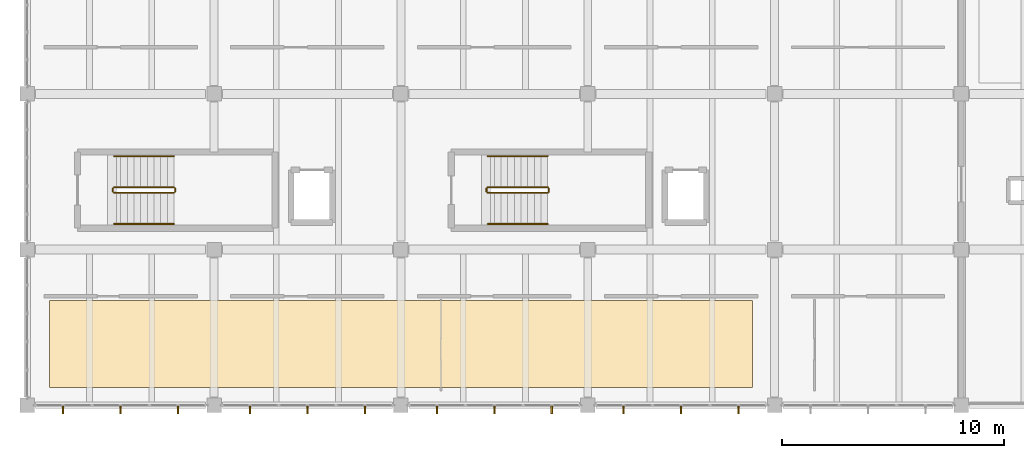
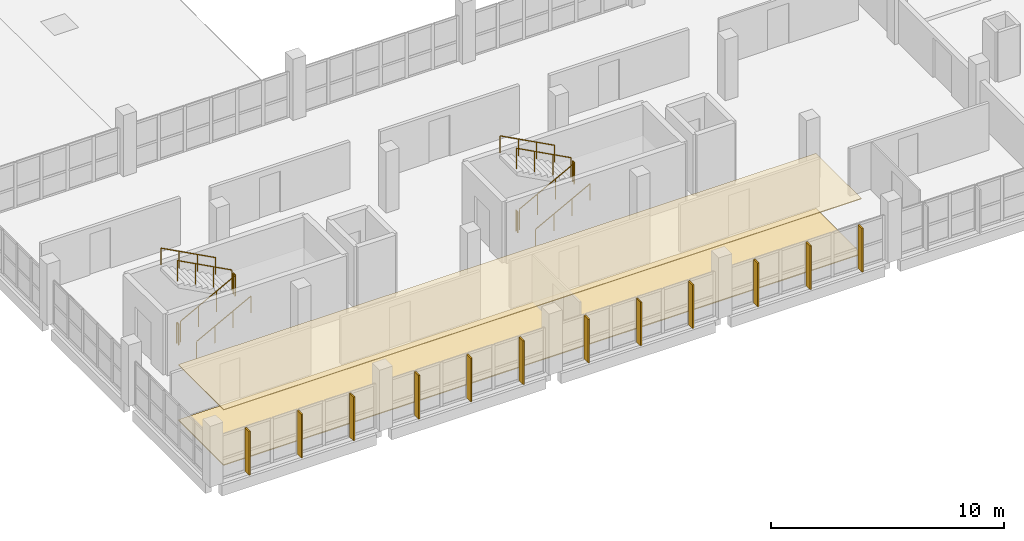
# One storey, part 30 of 33: 12 railings, 12 shading devices, 2 coverings.
"""IFC4 building model written with IfcOpenShell, lengths in metres."""

from ifc_helpers import new_model, si_unit, direction, frame, origin, origin_2d, place, context, subcontext, project, spatial, polyline, rectangle, circle, outline, extrude, material, layer, layer_set, type_object, element, save


model = new_model("IFC4")

# Units and contexts
model_context = context("Model", 3, precision=1e-05, world=origin(), true_north=direction((0.0, 1.0)))
body_context = subcontext(model_context, "Body", "Model", "MODEL_VIEW")
ifc_project = project(units=[si_unit("LENGTHUNIT", "METRE"), si_unit("AREAUNIT", "SQUARE_METRE"), si_unit("VOLUMEUNIT", "CUBIC_METRE"), si_unit("PLANEANGLEUNIT", "RADIAN"), si_unit("MASSUNIT", "GRAM", prefix="KILO"), si_unit("THERMODYNAMICTEMPERATUREUNIT", "KELVIN"), si_unit("POWERUNIT", "WATT")], contexts=[model_context])

# Site, building, storey
site_placement = place(None, origin())
site = spatial("IfcSite", under=ifc_project, at=site_placement, CompositionType="ELEMENT")
building_placement = place(site_placement, origin())
building = spatial("IfcBuilding", under=site, at=building_placement, Name="Mavoryth Pier Ferry Terminal", CompositionType="ELEMENT")
storey_placement = place(building_placement, frame((0.0, 0.0, 13.1201171875)))
storey = spatial("IfcBuildingStorey", under=building, at=storey_placement, Name="L03", CompositionType="ELEMENT", Elevation=13.1201171875)

# Covering
ifc_material_1 = material(Name="FSC Oak Acoustic Linear Slat Ceiling")
ifc_layer_1 = layer(ifc_material_1, 0.0380859375, Name="FSC Oak Acoustic Linear Slat Ceiling")
ifc_layer_set_1 = layer_set([ifc_layer_1], Name="FSC Oak Acoustic Linear Slat Ceiling - Ceil-TimberSlat-38")
covering_type_1 = type_object("IfcCoveringType", Name="Ceil-TimberSlat-38", PredefinedType="CEILING", material=ifc_layer_set_1)
covering_1_placement = place(storey_placement, frame((0.0, 0.0, 2.90185546875)))
element("IfcCovering", 1, at=covering_1_placement, inside=storey, type_object=covering_type_1, Name="Covering COV-L03-014", PredefinedType="CEILING", context=body_context, shape_type="SweptSolid", body=[
    extrude(outline(polyline([(43.0, 0.800048828125), (74.60009765625, 0.800048828125), (74.60009765625, 4.699951171875), (43.0, 4.699951171875), (43.0, 0.800048828125)])), origin(), (0.0, 0.0, 1.0), 0.0380859375),
])

# Shading devices
ifc_material_2 = material(Name="Anodised Aluminium Solar-Shading Fin", Category="aluminium")
shading_device_type = type_object("IfcShadingDeviceType", Name="Fin-BriseSoleil-350x70x2500", PredefinedType="SHUTTER", material=ifc_material_2)
for number, where, z_axis, x_axis, name in (
    (2, (43.61669921875, -0.198974609375, 0.0), (0.0, 0.0, 1.0), (1.0, 0.0, 0.0), "Solar Shading Fin 118"),
    (3, (46.199951171875, -0.198974609375, 0.0), (0.0, 0.0, 1.0), (1.0, 0.0, 0.0), "Solar Shading Fin 119"),
    (4, (48.783203125, -0.198974609375, 0.0), (0.0, 0.0, 1.0), (1.0, 0.0, 0.0), "Solar Shading Fin 120"),
    (5, (52.0166015625, -0.198974609375, 0.0), (0.0, 0.0, 1.0), (1.0, 0.0, 0.0), "Solar Shading Fin 121"),
    (6, (54.60009765625, -0.198974609375, 0.0), (0.0, 0.0, 1.0), (1.0, 0.0, 0.0), "Solar Shading Fin 122"),
    (7, (57.183349609375, -0.198974609375, 0.0), (0.0, 0.0, 1.0), (1.0, 0.0, 0.0), "Solar Shading Fin 123"),
    (8, (60.416748046875, -0.198974609375, 0.0), (0.0, 0.0, 1.0), (1.0, 0.0, 0.0), "Solar Shading Fin 124"),
    (9, (63.0, -0.198974609375, 0.0), (0.0, 0.0, 1.0), (1.0, 0.0, 0.0), "Solar Shading Fin 125"),
    (10, (65.583251953125, -0.198974609375, 0.0), (0.0, 0.0, 1.0), (1.0, 0.0, 0.0), "Solar Shading Fin 126"),
    (11, (68.816650390625, -0.198974609375, 0.0), (0.0, 0.0, 1.0), (1.0, 0.0, 0.0), "Solar Shading Fin 127"),
    (12, (71.39990234375, -0.198974609375, 0.0), (0.0, 0.0, 1.0), (1.0, 0.0, 0.0), "Solar Shading Fin 128"),
    (13, (73.9833984375, -0.198974609375, 0.0), (0.0, 0.0, 1.0), (1.0, 0.0, 0.0), "Solar Shading Fin 129"),
):
    element("IfcShadingDevice", number, at=place(storey_placement, frame(where, z_axis=z_axis, x_axis=x_axis)), inside=storey, type_object=shading_device_type, Name=name, PredefinedType="SHUTTER", context=body_context, shape_type="SweptSolid", body=[
        extrude(rectangle(XDim=0.070068359375, YDim=0.35009765625, at=origin_2d()), origin(), (0.0, 0.0, 1.0), 2.284912109375),
    ])

# Covering
ifc_material_3 = material(Name="Slip-Resistant Honed Attica Limestone", Category="masonry")
ifc_layer_2 = layer(ifc_material_3, 0.048095703125, Name="Slip-Resistant Honed Attica Limestone", Category="masonry")
ifc_layer_set_2 = layer_set([ifc_layer_2], Name="Slip-Resistant Honed Attica Limestone - Floor-HonedLimestone-48")
covering_type_2 = type_object("IfcCoveringType", Name="Floor-HonedLimestone-48", PredefinedType="FLOORING", material=ifc_layer_set_2)
covering_2_placement = place(storey_placement, origin())
element("IfcCovering", 14, at=covering_2_placement, inside=storey, type_object=covering_type_2, Name="Covering COV-L03-013", PredefinedType="FLOORING", context=body_context, shape_type="SweptSolid", body=[
    extrude(outline(polyline([(43.0, 0.800048828125), (74.60009765625, 0.800048828125), (74.60009765625, 4.699951171875), (43.0, 4.699951171875), (43.0, 0.800048828125)])), origin(), (0.0, 0.0, 1.0), 0.0478515625),
])

# Railings
ifc_material_4 = material(Name="Painted Galvanised Steel Balustrade", Category="steel")
railing_type_1 = type_object("IfcRailingType", Name="Guard-Stair-Steel1100", PredefinedType="GUARDRAIL", material=ifc_material_4)
railing_1_placement = place(storey_placement, frame((45.89990234375, 9.550048828125, 0.159912109375)))
element("IfcRailing", 15, at=railing_1_placement, inside=storey, type_object=railing_type_1, Name="L03 ST11 stair guard 1", PredefinedType="GUARDRAIL", context=body_context, shape_type="SweptSolid", body=[
    extrude(circle(Radius=0.02392578125, at=origin_2d()), frame((0.0, 0.0, 1.076171875), z_axis=(0.88237502484, 0.0, 0.470546826085), x_axis=(0.0, 1.0, 0.0)), (0.0, 0.0, 1.0), 3.06005859375),
    extrude(circle(Radius=0.02099609375, at=origin_2d()), origin(), (0.0, 0.0, 1.0), 1.052001953125),
    extrude(circle(Radius=0.02099609375, at=origin_2d()), frame((0.900146484375, 0.0, 0.47998046875)), (0.0, 0.0, 1.0), 1.052001953125),
    extrude(circle(Radius=0.02099609375, at=origin_2d()), frame((1.800048828125, 0.0, 0.9599609375)), (0.0, 0.0, 1.0), 1.052001953125),
    extrude(circle(Radius=0.02099609375, at=origin_2d()), frame((2.7001953125, 0.0, 1.43994140625)), (0.0, 0.0, 1.0), 1.052001953125),
])
railing_2_placement = place(storey_placement, frame((48.64990234375, 9.60009765625, 1.599853515625)))
element("IfcRailing", 16, at=railing_2_placement, inside=storey, type_object=railing_type_1, Name="L03 ST11 stair guard 2", PredefinedType="GUARDRAIL", context=body_context, shape_type="SweptSolid", body=[
    extrude(circle(Radius=0.02392578125, at=origin_2d()), frame((0.0, 0.0, 1.076171875), z_axis=(0.0, 1.0, 0.0), x_axis=(-1.0, 0.0, 0.0)), (0.0, 0.0, 1.0), 0.14990234375),
    extrude(circle(Radius=0.02099609375, at=origin_2d()), origin(), (0.0, 0.0, 1.0), 1.052001953125),
    extrude(circle(Radius=0.02099609375, at=origin_2d()), frame((0.0, 0.14990234375, 0.0)), (0.0, 0.0, 1.0), 1.052001953125),
])
railing_3_placement = place(storey_placement, frame((48.60009765625, 9.800048828125, 1.759765625)))
element("IfcRailing", 17, at=railing_3_placement, inside=storey, type_object=railing_type_1, Name="L03 ST11 stair guard 3", PredefinedType="GUARDRAIL", context=body_context, shape_type="SweptSolid", body=[
    extrude(circle(Radius=0.02392578125, at=origin_2d()), frame((0.0, 0.0, 1.076171875), z_axis=(-0.882341899031, 0.0, 0.470608938733), x_axis=(0.0, -1.0, 0.0)), (0.0, 0.0, 1.0), 3.060302734375),
    extrude(circle(Radius=0.02099609375, at=origin_2d()), origin(), (0.0, 0.0, 1.0), 1.052001953125),
    extrude(circle(Radius=0.02099609375, at=origin_2d()), frame((-0.900146484375, 0.0, 0.47998046875)), (0.0, 0.0, 1.0), 1.052001953125),
    extrude(circle(Radius=0.02099609375, at=origin_2d()), frame((-1.800048828125, 0.0, 0.960205078125)), (0.0, 0.0, 1.0), 1.052001953125),
    extrude(circle(Radius=0.02099609375, at=origin_2d()), frame((-2.7001953125, 0.0, 1.440185546875)), (0.0, 0.0, 1.0), 1.052001953125),
])
railing_4_placement = place(storey_placement, frame((45.85009765625, 9.60009765625, 0.0)))
element("IfcRailing", 18, at=railing_4_placement, inside=storey, type_object=railing_type_1, Name="L03 ST11 stair guard 4", PredefinedType="GUARDRAIL", context=body_context, shape_type="SweptSolid", body=[
    extrude(circle(Radius=0.02392578125, at=origin_2d()), frame((0.0, 0.0, 1.076171875), z_axis=(0.0, 1.0, 0.0), x_axis=(-1.0, 0.0, 0.0)), (0.0, 0.0, 1.0), 0.14990234375),
    extrude(circle(Radius=0.02099609375, at=origin_2d()), origin(), (0.0, 0.0, 1.0), 1.052001953125),
    extrude(circle(Radius=0.02099609375, at=origin_2d()), frame((0.0, 0.14990234375, 0.0)), (0.0, 0.0, 1.0), 1.052001953125),
])
railing_5_placement = place(storey_placement, frame((62.699951171875, 9.550048828125, 0.159912109375)))
element("IfcRailing", 19, at=railing_5_placement, inside=storey, type_object=railing_type_1, Name="L03 ST12 stair guard 1", PredefinedType="GUARDRAIL", context=body_context, shape_type="SweptSolid", body=[
    extrude(circle(Radius=0.02392578125, at=origin_2d()), frame((0.0, 0.0, 1.076171875), z_axis=(0.882357358376, 0.0, 0.470579952952), x_axis=(0.0, 1.0, 0.0)), (0.0, 0.0, 1.0), 3.059814453125),
    extrude(circle(Radius=0.02099609375, at=origin_2d()), origin(), (0.0, 0.0, 1.0), 1.052001953125),
    extrude(circle(Radius=0.02099609375, at=origin_2d()), frame((0.89990234375, 0.0, 0.47998046875)), (0.0, 0.0, 1.0), 1.052001953125),
    extrude(circle(Radius=0.02099609375, at=origin_2d()), frame((1.800048828125, 0.0, 0.9599609375)), (0.0, 0.0, 1.0), 1.052001953125),
    extrude(circle(Radius=0.02099609375, at=origin_2d()), frame((2.699951171875, 0.0, 1.43994140625)), (0.0, 0.0, 1.0), 1.052001953125),
])
railing_6_placement = place(storey_placement, frame((65.449951171875, 9.60009765625, 1.599853515625)))
element("IfcRailing", 20, at=railing_6_placement, inside=storey, type_object=railing_type_1, Name="L03 ST12 stair guard 2", PredefinedType="GUARDRAIL", context=body_context, shape_type="SweptSolid", body=[
    extrude(circle(Radius=0.02392578125, at=origin_2d()), frame((0.0, 0.0, 1.076171875), z_axis=(0.0, 1.0, 0.0), x_axis=(-1.0, 0.0, 0.0)), (0.0, 0.0, 1.0), 0.14990234375),
    extrude(circle(Radius=0.02099609375, at=origin_2d()), origin(), (0.0, 0.0, 1.0), 1.052001953125),
    extrude(circle(Radius=0.02099609375, at=origin_2d()), frame((0.0, 0.14990234375, 0.0)), (0.0, 0.0, 1.0), 1.052001953125),
])
railing_7_placement = place(storey_placement, frame((65.39990234375, 9.800048828125, 1.759765625)))
element("IfcRailing", 21, at=railing_7_placement, inside=storey, type_object=railing_type_1, Name="L03 ST12 stair guard 3", PredefinedType="GUARDRAIL", context=body_context, shape_type="SweptSolid", body=[
    extrude(circle(Radius=0.02392578125, at=origin_2d()), frame((0.0, 0.0, 1.076171875), z_axis=(-0.882324228566, 0.0, 0.470642067484), x_axis=(0.0, -1.0, 0.0)), (0.0, 0.0, 1.0), 3.06005859375),
    extrude(circle(Radius=0.02099609375, at=origin_2d()), origin(), (0.0, 0.0, 1.0), 1.052001953125),
    extrude(circle(Radius=0.02099609375, at=origin_2d()), frame((-0.89990234375, 0.0, 0.47998046875)), (0.0, 0.0, 1.0), 1.052001953125),
    extrude(circle(Radius=0.02099609375, at=origin_2d()), frame((-1.800048828125, 0.0, 0.960205078125)), (0.0, 0.0, 1.0), 1.052001953125),
    extrude(circle(Radius=0.02099609375, at=origin_2d()), frame((-2.699951171875, 0.0, 1.440185546875)), (0.0, 0.0, 1.0), 1.052001953125),
])
railing_8_placement = place(storey_placement, frame((62.64990234375, 9.60009765625, 0.0)))
element("IfcRailing", 22, at=railing_8_placement, inside=storey, type_object=railing_type_1, Name="L03 ST12 stair guard 4", PredefinedType="GUARDRAIL", context=body_context, shape_type="SweptSolid", body=[
    extrude(circle(Radius=0.02392578125, at=origin_2d()), frame((0.0, 0.0, 1.076171875), z_axis=(0.0, 1.0, 0.0), x_axis=(-1.0, 0.0, 0.0)), (0.0, 0.0, 1.0), 0.14990234375),
    extrude(circle(Radius=0.02099609375, at=origin_2d()), origin(), (0.0, 0.0, 1.0), 1.052001953125),
    extrude(circle(Radius=0.02099609375, at=origin_2d()), frame((0.0, 0.14990234375, 0.0)), (0.0, 0.0, 1.0), 1.052001953125),
])
ifc_material_5 = material(Name="Brushed Stainless Steel Tubular Handrail", Category="steel")
railing_type_2 = type_object("IfcRailingType", Name="Handrail-Stair-SS900", PredefinedType="HANDRAIL", material=ifc_material_5)
railing_9_placement = place(storey_placement, frame((45.89990234375, 8.14990234375, 0.159912109375)))
element("IfcRailing", 23, at=railing_9_placement, inside=storey, type_object=railing_type_2, Name="L03 ST11 stair handrail 1", PredefinedType="HANDRAIL", context=body_context, shape_type="SweptSolid", body=[
    extrude(circle(Radius=0.02392578125, at=origin_2d()), frame((0.0, 0.0, 0.8759765625), z_axis=(0.88237502484, 0.0, 0.470546826085), x_axis=(0.0, 1.0, 0.0)), (0.0, 0.0, 1.0), 3.06005859375),
    extrude(circle(Radius=0.02099609375, at=origin_2d()), origin(), (0.0, 0.0, 1.0), 0.851806640625),
    extrude(circle(Radius=0.02099609375, at=origin_2d()), frame((0.900146484375, 0.0, 0.47998046875)), (0.0, 0.0, 1.0), 0.851806640625),
    extrude(circle(Radius=0.02099609375, at=origin_2d()), frame((1.800048828125, 0.0, 0.9599609375)), (0.0, 0.0, 1.0), 0.851806640625),
    extrude(circle(Radius=0.02099609375, at=origin_2d()), frame((2.7001953125, 0.0, 1.43994140625)), (0.0, 0.0, 1.0), 0.851806640625),
])
railing_10_placement = place(storey_placement, frame((48.60009765625, 11.199951171875, 1.759765625)))
element("IfcRailing", 24, at=railing_10_placement, inside=storey, type_object=railing_type_2, Name="L03 ST11 stair handrail 2", PredefinedType="HANDRAIL", context=body_context, shape_type="SweptSolid", body=[
    extrude(circle(Radius=0.02392578125, at=origin_2d()), frame((0.0, 0.0, 0.8759765625), z_axis=(-0.882341899031, 0.0, 0.470608938733), x_axis=(0.0, -1.0, 0.0)), (0.0, 0.0, 1.0), 3.060302734375),
    extrude(circle(Radius=0.02099609375, at=origin_2d()), origin(), (0.0, 0.0, 1.0), 0.851806640625),
    extrude(circle(Radius=0.02099609375, at=origin_2d()), frame((-0.900146484375, 0.0, 0.47998046875)), (0.0, 0.0, 1.0), 0.851806640625),
    extrude(circle(Radius=0.02099609375, at=origin_2d()), frame((-1.800048828125, 0.0, 0.960205078125)), (0.0, 0.0, 1.0), 0.851806640625),
    extrude(circle(Radius=0.02099609375, at=origin_2d()), frame((-2.7001953125, 0.0, 1.440185546875)), (0.0, 0.0, 1.0), 0.851806640625),
])
railing_11_placement = place(storey_placement, frame((62.699951171875, 8.14990234375, 0.159912109375)))
element("IfcRailing", 25, at=railing_11_placement, inside=storey, type_object=railing_type_2, Name="L03 ST12 stair handrail 1", PredefinedType="HANDRAIL", context=body_context, shape_type="SweptSolid", body=[
    extrude(circle(Radius=0.02392578125, at=origin_2d()), frame((0.0, 0.0, 0.8759765625), z_axis=(0.882357358376, 0.0, 0.470579952952), x_axis=(0.0, 1.0, 0.0)), (0.0, 0.0, 1.0), 3.059814453125),
    extrude(circle(Radius=0.02099609375, at=origin_2d()), origin(), (0.0, 0.0, 1.0), 0.851806640625),
    extrude(circle(Radius=0.02099609375, at=origin_2d()), frame((0.89990234375, 0.0, 0.47998046875)), (0.0, 0.0, 1.0), 0.851806640625),
    extrude(circle(Radius=0.02099609375, at=origin_2d()), frame((1.800048828125, 0.0, 0.9599609375)), (0.0, 0.0, 1.0), 0.851806640625),
    extrude(circle(Radius=0.02099609375, at=origin_2d()), frame((2.699951171875, 0.0, 1.43994140625)), (0.0, 0.0, 1.0), 0.851806640625),
])
railing_12_placement = place(storey_placement, frame((65.39990234375, 11.199951171875, 1.759765625)))
element("IfcRailing", 26, at=railing_12_placement, inside=storey, type_object=railing_type_2, Name="L03 ST12 stair handrail 2", PredefinedType="HANDRAIL", context=body_context, shape_type="SweptSolid", body=[
    extrude(circle(Radius=0.02392578125, at=origin_2d()), frame((0.0, 0.0, 0.8759765625), z_axis=(-0.882324228566, 0.0, 0.470642067484), x_axis=(0.0, -1.0, 0.0)), (0.0, 0.0, 1.0), 3.06005859375),
    extrude(circle(Radius=0.02099609375, at=origin_2d()), origin(), (0.0, 0.0, 1.0), 0.851806640625),
    extrude(circle(Radius=0.02099609375, at=origin_2d()), frame((-0.89990234375, 0.0, 0.47998046875)), (0.0, 0.0, 1.0), 0.851806640625),
    extrude(circle(Radius=0.02099609375, at=origin_2d()), frame((-1.800048828125, 0.0, 0.960205078125)), (0.0, 0.0, 1.0), 0.851806640625),
    extrude(circle(Radius=0.02099609375, at=origin_2d()), frame((-2.699951171875, 0.0, 1.440185546875)), (0.0, 0.0, 1.0), 0.851806640625),
])

save(model, "model.ifc")
